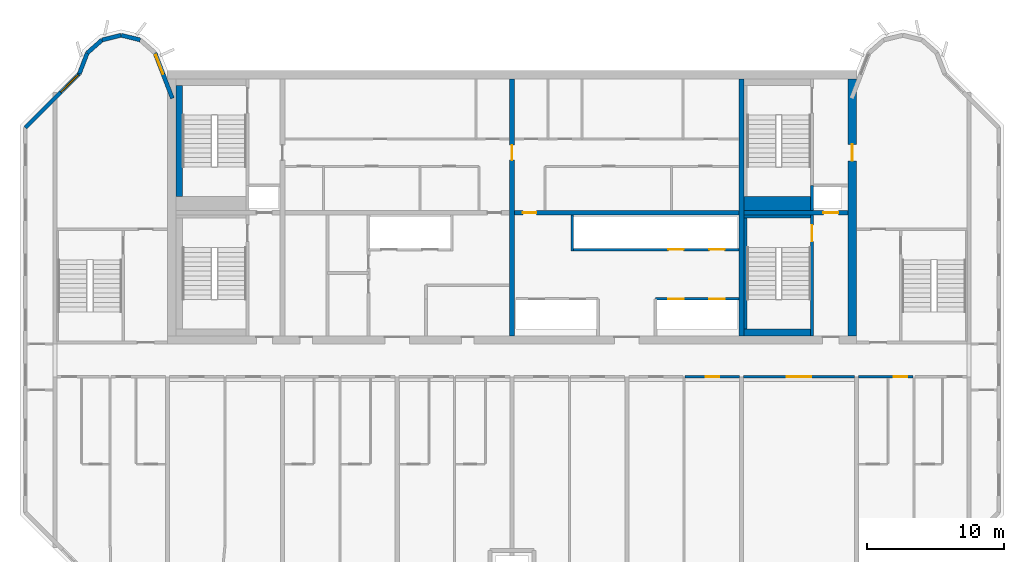
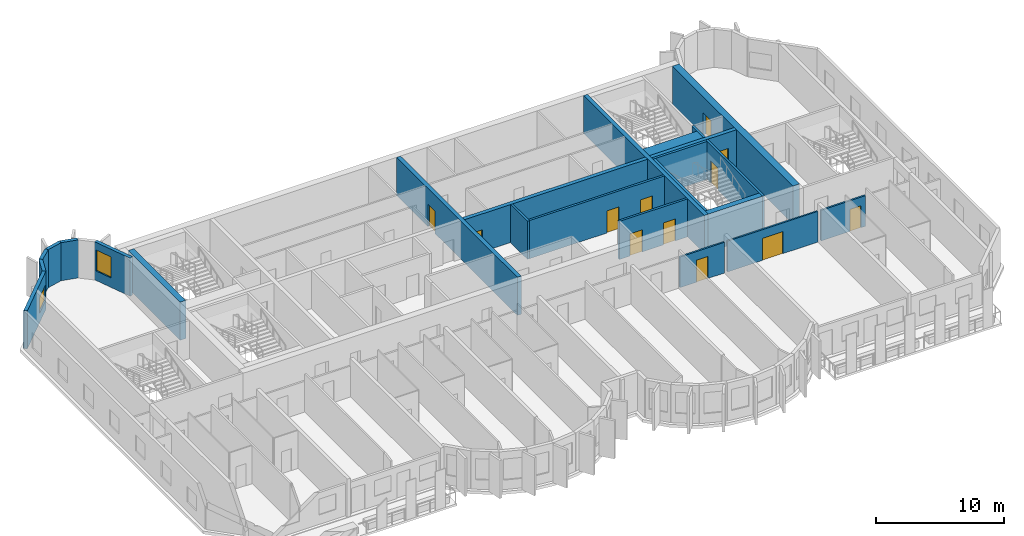
# One storey, part 6 of 11: 24 walls, 12 doors, 2 windows, 14 openings.
"""IFC4 building model written with IfcOpenShell, lengths in metres."""

from ifc_helpers import new_model, si_unit, direction, frame, frame_2d, origin, place, context, subcontext, project, spatial, rectangle, extrude, source, transform, mapped, material, layer, layer_set, type_object, element, fill, save


model = new_model("IFC4")

# Units and contexts
model_context = context("Model", 3, precision=1e-05, world=origin(), true_north=direction((0.0, 1.0)))
body_context = subcontext(model_context, "Body", "Model", "MODEL_VIEW")
ifc_project = project(units=[si_unit("LENGTHUNIT", "METRE"), si_unit("AREAUNIT", "SQUARE_METRE"), si_unit("VOLUMEUNIT", "CUBIC_METRE"), si_unit("PLANEANGLEUNIT", "RADIAN"), si_unit("MASSUNIT", "GRAM", prefix="KILO")], contexts=[model_context])

# Site, building, storey
site_placement = place(None, origin())
site = spatial("IfcSite", under=ifc_project, at=site_placement, CompositionType="ELEMENT")
building_placement = place(site_placement, origin())
building = spatial("IfcBuilding", under=site, at=building_placement, Name="Vanashikhar Sky Hotel", CompositionType="ELEMENT")
storey_placement = place(building_placement, frame((0.0, 0.0, 241.300048828125)))
storey = spatial("IfcBuildingStorey", under=building, at=storey_placement, Name="L58", CompositionType="ELEMENT", Elevation=241.300048828125)

# Wall, opening, door
ifc_material_1 = material(Name="Concrete M60", Category="concrete")
ifc_layer_1 = layer(ifc_material_1, 0.60009765625)
ifc_layer_set_1 = layer_set([ifc_layer_1], Name="RC core shell wall 600 Concrete M60")
wall_type_1 = type_object("IfcWallType", Name="RC core shell wall 600 Concrete M60", PredefinedType="SHEAR", material=ifc_layer_set_1)
shared_shape_1 = source(origin(), body_context, "Body", "SweptSolid", [
    extrude(rectangle(XDim=18.7998046875, YDim=0.60009765625, at=frame_2d((9.39990234375, 0.0))), origin(), (0.0, 0.0, 1.0), 3.619873046875),
])
wall_1_placement = place(storey_placement, frame((75.300048828125, 22.60009765625, 0.0), z_axis=(0.0, 0.0, 1.0), x_axis=(0.0, 1.0, 0.0)))
wall_1 = element("IfcWall", 1, at=wall_1_placement, inside=storey, type_object=wall_type_1, Name="KW-L58-KE", PredefinedType="SHEAR", context=body_context, shape_type="MappedRepresentation", body=[
    mapped(shared_shape_1, transform((0.0, 0.0, 0.0), scale=1.0)),
])
shared_shape_2 = source(origin(), body_context, "Body", "SweptSolid", [
    extrude(rectangle(XDim=1.199951171875, YDim=2.10009765625, at=frame_2d((0.60009765625, 1.050048828125))), frame((0.0, 0.31005859375, 0.0), z_axis=(0.0, -1.0, 0.0), x_axis=(1.0, 0.0, 0.0)), (0.0, 0.0, 1.0), 0.6201171875),
])
opening_1_placement = place(wall_1_placement, frame((12.800048828125, 0.0, 0.0)))
opening_1 = element("IfcOpeningElement", 2, at=opening_1_placement, cuts=wall_1, Name="Opening DC-4-D", PredefinedType="OPENING", context=body_context, shape_type="MappedRepresentation", body=[
    mapped(shared_shape_2, transform((0.0, 0.0, 0.0), scale=1.0)),
])
ifc_material_2 = material(Name="Steel", Category="steel")
door_type_1 = type_object("IfcDoorType", Name="Service door 1200 FD120", OperationType="NOTDEFINED", PredefinedType="DOOR", material=ifc_material_2)
shared_shape_3 = source(origin(), body_context, "Body", "SweptSolid", [
    extrude(rectangle(XDim=1.199951171875, YDim=2.10009765625, at=frame_2d((0.60009765625, 1.050048828125))), frame((0.0, 0.02490234375, 0.0), z_axis=(0.0, -1.0, 0.0), x_axis=(1.0, 0.0, 0.0)), (0.0, 0.0, 1.0), 0.050048828125),
])
door_1_placement = place(opening_1_placement, origin())
door_1 = element("IfcDoor", 3, at=door_1_placement, inside=storey, type_object=door_type_1, Name="Service door 1200 FD120", OperationType="SINGLE_SWING_LEFT", OverallHeight=2.10009765625, OverallWidth=1.199951171875, PredefinedType="DOOR", context=body_context, shape_type="MappedRepresentation", body=[
    mapped(shared_shape_3, transform((0.0, 0.0, 0.0), scale=1.0)),
])
fill(opening_1, door_1)

ifc_layer_2 = layer(ifc_material_1, 0.35009765625)
ifc_layer_set_2 = layer_set([ifc_layer_2], Name="RC core inner wall 350 Concrete M60")
wall_type_2 = type_object("IfcWallType", Name="RC core inner wall 350 Concrete M60", PredefinedType="SHEAR", material=ifc_layer_set_2)
shared_shape_4 = source(origin(), body_context, "Body", "SweptSolid", [
    extrude(rectangle(XDim=18.7998046875, YDim=0.35009765625, at=frame_2d((9.39990234375, 0.0))), origin(), (0.0, 0.0, 1.0), 3.619873046875),
])
wall_2_placement = place(storey_placement, frame((50.39990234375, 22.60009765625, 0.0), z_axis=(0.0, 0.0, 1.0), x_axis=(0.0, 1.0, 0.0)))
wall_2 = element("IfcWall", 4, at=wall_2_placement, inside=storey, type_object=wall_type_2, Name="KW-L58-KX2", PredefinedType="SHEAR", context=body_context, shape_type="MappedRepresentation", body=[
    mapped(shared_shape_4, transform((0.0, 0.0, 0.0), scale=1.0)),
])
shared_shape_5 = source(origin(), body_context, "Body", "SweptSolid", [
    extrude(rectangle(XDim=1.10009765625, YDim=2.10009765625, at=frame_2d((0.550048828125, 1.050048828125))), frame((0.0, 0.18505859375, 0.0), z_axis=(0.0, -1.0, 0.0), x_axis=(1.0, 0.0, 0.0)), (0.0, 0.0, 1.0), 0.3701171875),
])
opening_2_placement = place(wall_2_placement, frame((12.85009765625, 0.0, 0.0)))
opening_2 = element("IfcOpeningElement", 5, at=opening_2_placement, cuts=wall_2, Name="Opening DC-4-C", PredefinedType="OPENING", context=body_context, shape_type="MappedRepresentation", body=[
    mapped(shared_shape_5, transform((0.0, 0.0, 0.0), scale=1.0)),
])
door_type_2 = type_object("IfcDoorType", Name="Service door 1100 FD60", OperationType="NOTDEFINED", PredefinedType="DOOR", material=ifc_material_2)
shared_shape_6 = source(origin(), body_context, "Body", "SweptSolid", [
    extrude(rectangle(XDim=1.10009765625, YDim=2.10009765625, at=frame_2d((0.550048828125, 1.050048828125))), frame((0.0, 0.02490234375, 0.0), z_axis=(0.0, -1.0, 0.0), x_axis=(1.0, 0.0, 0.0)), (0.0, 0.0, 1.0), 0.050048828125),
])
door_2_placement = place(opening_2_placement, origin())
door_2 = element("IfcDoor", 6, at=door_2_placement, inside=storey, type_object=door_type_2, Name="Service door 1100 FD60", OperationType="SINGLE_SWING_RIGHT", OverallHeight=2.10009765625, OverallWidth=1.10009765625, PredefinedType="DOOR", context=body_context, shape_type="MappedRepresentation", body=[
    mapped(shared_shape_6, transform((0.0, 0.0, 0.0), scale=1.0)),
])
fill(opening_2, door_2)

# Wall
wall_3_placement = place(storey_placement, frame((67.199951171875, 22.60009765625, 0.0), z_axis=(0.0, 0.0, 1.0), x_axis=(0.0, 1.0, 0.0)))
element("IfcWall", 7, at=wall_3_placement, inside=storey, type_object=wall_type_2, Name="KW-L58-KX3", PredefinedType="SHEAR", context=body_context, shape_type="MappedRepresentation", body=[
    mapped(shared_shape_4, transform((0.0, 0.0, 0.0), scale=1.0)),
])

# Wall, opening, door
shared_shape_7 = source(origin(), body_context, "Body", "SweptSolid", [
    extrude(rectangle(XDim=7.625, YDim=0.35009765625, at=frame_2d((3.8125, 0.0))), origin(), (0.0, 0.0, 1.0), 3.619873046875),
])
wall_4_placement = place(storey_placement, frame((67.375, 31.60009765625, 0.0), z_axis=(0.0, 0.0, 1.0), x_axis=(1.0, 0.0, 0.0)))
wall_4 = element("IfcWall", 8, at=wall_4_placement, inside=storey, type_object=wall_type_2, Name="KW-L58-KY4", PredefinedType="SHEAR", context=body_context, shape_type="MappedRepresentation", body=[
    mapped(shared_shape_7, transform((0.0, 0.0, 0.0), scale=1.0)),
])
opening_3_placement = place(wall_4_placement, frame((5.800048828125, 0.0, 0.0)))
opening_3 = element("IfcOpeningElement", 9, at=opening_3_placement, cuts=wall_4, Name="Opening LD", PredefinedType="OPENING", context=body_context, shape_type="MappedRepresentation", body=[
    mapped(shared_shape_5, transform((0.0, 0.0, 0.0), scale=1.0)),
])
ifc_material_3 = material(Name="Stainless steel", Category="steel")
door_type_3 = type_object("IfcDoorType", Name="Lift landing door 1100", OperationType="NOTDEFINED", PredefinedType="DOOR", material=ifc_material_3)
door_3_placement = place(opening_3_placement, origin())
door_3 = element("IfcDoor", 10, at=door_3_placement, inside=storey, type_object=door_type_3, Name="Lift landing door 1100", OperationType="SLIDING_TO_RIGHT", OverallHeight=2.10009765625, OverallWidth=1.10009765625, PredefinedType="DOOR", context=body_context, shape_type="MappedRepresentation", body=[
    mapped(shared_shape_6, transform((0.0, 0.0, 0.0), scale=1.0)),
])
fill(opening_3, door_3)

shared_shape_8 = source(origin(), body_context, "Body", "SweptSolid", [
    extrude(rectangle(XDim=16.449951171875, YDim=0.35009765625, at=frame_2d((8.22509765625, 0.0))), origin(), (0.0, 0.0, 1.0), 3.619873046875),
])
wall_5_placement = place(storey_placement, frame((50.574951171875, 31.60009765625, 0.0), z_axis=(0.0, 0.0, 1.0), x_axis=(1.0, 0.0, 0.0)))
wall_5 = element("IfcWall", 11, at=wall_5_placement, inside=storey, type_object=wall_type_2, Name="KW-L58-KY3", PredefinedType="SHEAR", context=body_context, shape_type="MappedRepresentation", body=[
    mapped(shared_shape_8, transform((0.0, 0.0, 0.0), scale=1.0)),
])
shared_shape_9 = source(origin(), body_context, "Body", "SweptSolid", [
    extrude(rectangle(XDim=1.0, YDim=2.10009765625, at=frame_2d((0.5, 1.050048828125))), frame((0.0, 0.18505859375, 0.0), z_axis=(0.0, -1.0, 0.0), x_axis=(1.0, 0.0, 0.0)), (0.0, 0.0, 1.0), 0.3701171875),
])
opening_4_placement = place(wall_5_placement, frame((0.613037109375, 0.0, 0.0)))
opening_4 = element("IfcOpeningElement", 12, at=opening_4_placement, cuts=wall_5, Name="Opening DC-4", PredefinedType="OPENING", context=body_context, shape_type="MappedRepresentation", body=[
    mapped(shared_shape_9, transform((0.0, 0.0, 0.0), scale=1.0)),
])
door_type_4 = type_object("IfcDoorType", Name="Service door 1000 FD60", OperationType="NOTDEFINED", PredefinedType="DOOR", material=ifc_material_2)
shared_shape_10 = source(origin(), body_context, "Body", "SweptSolid", [
    extrude(rectangle(XDim=1.0, YDim=2.10009765625, at=frame_2d((0.5, 1.050048828125))), frame((0.0, 0.02490234375, 0.0), z_axis=(0.0, -1.0, 0.0), x_axis=(1.0, 0.0, 0.0)), (0.0, 0.0, 1.0), 0.050048828125),
])
door_4_placement = place(opening_4_placement, origin())
door_4 = element("IfcDoor", 13, at=door_4_placement, inside=storey, type_object=door_type_4, Name="Service door 1000 FD60", OperationType="SINGLE_SWING_RIGHT", OverallHeight=2.10009765625, OverallWidth=1.0, PredefinedType="DOOR", context=body_context, shape_type="MappedRepresentation", body=[
    mapped(shared_shape_10, transform((0.0, 0.0, 0.0), scale=1.0)),
])
fill(opening_4, door_4)

# Wall, opening, window
ifc_material_4 = material(Name="Concrete M50", Category="concrete")
ifc_layer_3 = layer(ifc_material_4, 0.300048828125)
ifc_layer_set_3 = layer_set([ifc_layer_3], Name="Lobe wall 300")
wall_type_3 = type_object("IfcWallType", Name="Lobe wall 300", PredefinedType="SOLIDWALL", material=ifc_layer_set_3)
shared_shape_11 = source(origin(), body_context, "Body", "SweptSolid", [
    extrude(rectangle(XDim=5.576416015625, YDim=0.300048828125, at=frame_2d((2.7880859375, 0.0))), origin(), (0.0, 0.0, 1.0), 3.619873046875),
])
wall_6_placement = place(storey_placement, frame((18.7431640625, 41.77734375, 0.0), z_axis=(0.0, 0.0, 1.0), x_axis=(-0.707106781187, -0.707106781187, 0.0)))
wall_6 = element("IfcWall", 14, at=wall_6_placement, inside=storey, type_object=wall_type_3, Name="Corner wall", PredefinedType="SOLIDWALL", context=body_context, shape_type="MappedRepresentation", body=[
    mapped(shared_shape_11, transform((0.0, 0.0, 0.0), scale=1.0)),
])
shared_shape_12 = source(origin(), body_context, "Body", "SweptSolid", [
    extrude(rectangle(XDim=1.800048828125, YDim=1.5, at=frame_2d((0.89990234375, 0.75))), frame((0.0, 0.16015625, 0.0), z_axis=(0.0, -1.0, 0.0), x_axis=(1.0, 0.0, 0.0)), (0.0, 0.0, 1.0), 0.320068359375),
])
opening_5_placement = place(wall_6_placement, frame((0.117919921875, 0.0, 0.89990234375)))
opening_5 = element("IfcOpeningElement", 15, at=opening_5_placement, cuts=wall_6, Name="Opening WN-4", PredefinedType="OPENING", context=body_context, shape_type="MappedRepresentation", body=[
    mapped(shared_shape_12, transform((0.0, 0.0, 0.0), scale=1.0)),
])
ifc_material_5 = material(Name="Glass", Category="glass")
window_type_1 = type_object("IfcWindowType", Name="Corner window 1800 x 1500", PartitioningType="SINGLE_PANEL", PredefinedType="WINDOW", material=ifc_material_5)
shared_shape_13 = source(origin(), body_context, "Body", "SweptSolid", [
    extrude(rectangle(XDim=1.800048828125, YDim=1.5, at=frame_2d((0.89990234375, 0.75))), frame((0.0, 0.030029296875, 0.0), z_axis=(0.0, -1.0, 0.0), x_axis=(1.0, 0.0, 0.0)), (0.0, 0.0, 1.0), 0.06005859375),
])
window_1_placement = place(opening_5_placement, origin())
window_1 = element("IfcWindow", 16, at=window_1_placement, inside=storey, type_object=window_type_1, Name="Window WN-4", OverallHeight=1.5, OverallWidth=1.800048828125, PartitioningType="SINGLE_PANEL", PredefinedType="WINDOW", context=body_context, shape_type="MappedRepresentation", body=[
    mapped(shared_shape_13, transform((0.0, 0.0, 0.0), scale=1.0)),
])
fill(opening_5, window_1)

shared_shape_14 = source(origin(), body_context, "Body", "SweptSolid", [
    extrude(rectangle(XDim=3.55908203125, YDim=0.300048828125, at=frame_2d((1.779541015625, 0.0))), origin(), (0.0, 0.0, 1.0), 3.619873046875),
])
wall_7_placement = place(storey_placement, frame((25.550048828125, 39.968505859375, 0.0), z_axis=(0.0, 0.0, 1.0), x_axis=(-0.35779745313, 0.933799219604, 0.0)))
wall_7 = element("IfcWall", 17, at=wall_7_placement, inside=storey, type_object=wall_type_3, Name="Lobe wall", PredefinedType="SOLIDWALL", context=body_context, shape_type="MappedRepresentation", body=[
    mapped(shared_shape_14, transform((0.0, 0.0, 0.0), scale=1.0)),
])
shared_shape_15 = source(origin(), body_context, "Body", "SweptSolid", [
    extrude(rectangle(XDim=1.5, YDim=2.0, at=frame_2d((0.75, 1.0))), frame((0.0, 0.16015625, 0.0), z_axis=(0.0, -1.0, 0.0), x_axis=(1.0, 0.0, 0.0)), (0.0, 0.0, 1.0), 0.320068359375),
])
opening_6_placement = place(wall_7_placement, frame((1.9033203125, 0.0, 0.89990234375)))
opening_6 = element("IfcOpeningElement", 18, at=opening_6_placement, cuts=wall_7, Name="Opening WN-2", PredefinedType="OPENING", context=body_context, shape_type="MappedRepresentation", body=[
    mapped(shared_shape_15, transform((0.0, 0.0, 0.0), scale=1.0)),
])
window_type_2 = type_object("IfcWindowType", Name="Lobe window 1500 x 2000", PartitioningType="SINGLE_PANEL", PredefinedType="WINDOW", material=ifc_material_5)
shared_shape_16 = source(origin(), body_context, "Body", "SweptSolid", [
    extrude(rectangle(XDim=1.5, YDim=2.0, at=frame_2d((0.75, 1.0))), frame((0.0, 0.030029296875, 0.0), z_axis=(0.0, -1.0, 0.0), x_axis=(1.0, 0.0, 0.0)), (0.0, 0.0, 1.0), 0.06005859375),
])
window_2_placement = place(opening_6_placement, origin())
window_2 = element("IfcWindow", 19, at=window_2_placement, inside=storey, type_object=window_type_2, Name="Window WN-2", OverallHeight=2.0, OverallWidth=1.5, PartitioningType="SINGLE_PANEL", PredefinedType="WINDOW", context=body_context, shape_type="MappedRepresentation", body=[
    mapped(shared_shape_16, transform((0.0, 0.0, 0.0), scale=1.0)),
])
fill(opening_6, window_2)

# Walls
shared_shape_17 = source(origin(), body_context, "Body", "SweptSolid", [
    extrude(rectangle(XDim=1.4384765625, YDim=0.300048828125, at=frame_2d((0.71923828125, 0.0))), origin(), (0.0, 0.0, 1.0), 3.619873046875),
])
wall_8_placement = place(storey_placement, frame((23.197021484375, 44.2451171875, 0.0), z_axis=(0.0, 0.0, 1.0), x_axis=(-0.971152283879, 0.238460146601, 0.0)))
element("IfcWall", 20, at=wall_8_placement, inside=storey, type_object=wall_type_3, Name="Lobe wall", PredefinedType="SOLIDWALL", context=body_context, shape_type="MappedRepresentation", body=[
    mapped(shared_shape_17, transform((0.0, 0.0, 0.0), scale=1.0)),
])
shared_shape_18 = source(origin(), body_context, "Body", "SweptSolid", [
    extrude(rectangle(XDim=1.438720703125, YDim=0.300048828125, at=frame_2d((0.71923828125, 0.0))), origin(), (0.0, 0.0, 1.0), 3.619873046875),
])
wall_9_placement = place(storey_placement, frame((21.800048828125, 44.588134765625, 0.0), z_axis=(0.0, 0.0, 1.0), x_axis=(-0.971161932466, -0.238420848351, 0.0)))
element("IfcWall", 21, at=wall_9_placement, inside=storey, type_object=wall_type_3, Name="Lobe wall", PredefinedType="SOLIDWALL", context=body_context, shape_type="MappedRepresentation", body=[
    mapped(shared_shape_18, transform((0.0, 0.0, 0.0), scale=1.0)),
])
shared_shape_19 = source(origin(), body_context, "Body", "SweptSolid", [
    extrude(rectangle(XDim=1.43994140625, YDim=0.300048828125, at=frame_2d((0.719970703125, 0.0))), origin(), (0.0, 0.0, 1.0), 3.619873046875),
])
wall_10_placement = place(storey_placement, frame((20.40283203125, 44.2451171875, 0.0), z_axis=(0.0, 0.0, 1.0), x_axis=(-0.74957555648, -0.661918790432, 0.0)))
element("IfcWall", 22, at=wall_10_placement, inside=storey, type_object=wall_type_3, Name="Lobe wall", PredefinedType="SOLIDWALL", context=body_context, shape_type="MappedRepresentation", body=[
    mapped(shared_shape_19, transform((0.0, 0.0, 0.0), scale=1.0)),
])
shared_shape_20 = source(origin(), body_context, "Body", "SweptSolid", [
    extrude(rectangle(XDim=1.6220703125, YDim=0.300048828125, at=frame_2d((0.81103515625, 0.0))), origin(), (0.0, 0.0, 1.0), 3.619873046875),
])
wall_11_placement = place(storey_placement, frame((19.323486328125, 43.2919921875, 0.0), z_axis=(0.0, 0.0, 1.0), x_axis=(-0.357778527068, -0.933806471154, 0.0)))
element("IfcWall", 23, at=wall_11_placement, inside=storey, type_object=wall_type_3, Name="Lobe wall", PredefinedType="SOLIDWALL", context=body_context, shape_type="MappedRepresentation", body=[
    mapped(shared_shape_20, transform((0.0, 0.0, 0.0), scale=1.0)),
])
ifc_material_6 = material(Name="Concrete M40", Category="concrete")
ifc_layer_4 = layer(ifc_material_6, 0.199951171875)
ifc_layer_set_4 = layer_set([ifc_layer_4], Name="Shaft wall 200")
wall_type_4 = type_object("IfcWallType", Name="Shaft wall 200", PredefinedType="SOLIDWALL", material=ifc_layer_set_4)
shared_shape_21 = source(origin(), body_context, "Body", "SweptSolid", [
    extrude(rectangle(XDim=2.625, YDim=0.199951171875, at=frame_2d((1.3125, 0.0))), origin(), (0.0, 0.0, 1.0), 3.619873046875),
])
wall_12_placement = place(storey_placement, frame((54.800048828125, 28.800048828125, 0.0), z_axis=(0.0, 0.0, 1.0), x_axis=(0.0, 1.0, 0.0)))
element("IfcWall", 24, at=wall_12_placement, inside=storey, type_object=wall_type_4, Name="Shaft wall 200", PredefinedType="SOLIDWALL", context=body_context, shape_type="MappedRepresentation", body=[
    mapped(shared_shape_21, transform((0.0, 0.0, 0.0), scale=1.0)),
])

# Wall, openings, doors
shared_shape_22 = source(origin(), body_context, "Body", "SweptSolid", [
    extrude(rectangle(XDim=6.125, YDim=0.199951171875, at=frame_2d((3.0625, 0.0))), origin(), (0.0, 0.0, 1.0), 3.619873046875),
])
wall_13_placement = place(storey_placement, frame((67.02490234375, 25.300048828125, 0.0), z_axis=(0.0, 0.0, 1.0), x_axis=(-1.0, 0.0, 0.0)))
wall_13 = element("IfcWall", 25, at=wall_13_placement, inside=storey, type_object=wall_type_4, Name="Shaft wall 200", PredefinedType="SOLIDWALL", context=body_context, shape_type="MappedRepresentation", body=[
    mapped(shared_shape_22, transform((0.0, 0.0, 0.0), scale=1.0)),
])
shared_shape_23 = source(origin(), body_context, "Body", "SweptSolid", [
    extrude(rectangle(XDim=1.10009765625, YDim=2.10009765625, at=frame_2d((0.550048828125, 1.050048828125))), frame((0.0, 0.10986328125, 0.0), z_axis=(0.0, -1.0, 0.0), x_axis=(1.0, 0.0, 0.0)), (0.0, 0.0, 1.0), 0.219970703125),
])
opening_7_placement = place(wall_13_placement, frame((1.074951171875, 0.0, 0.0)))
opening_7 = element("IfcOpeningElement", 26, at=opening_7_placement, cuts=wall_13, Name="Opening LD", PredefinedType="OPENING", context=body_context, shape_type="MappedRepresentation", body=[
    mapped(shared_shape_23, transform((0.0, 0.0, 0.0), scale=1.0)),
])
opening_8_placement = place(wall_13_placement, frame((4.074951171875, 0.0, 0.0)))
opening_8 = element("IfcOpeningElement", 27, at=opening_8_placement, cuts=wall_13, Name="Opening LD", PredefinedType="OPENING", context=body_context, shape_type="MappedRepresentation", body=[
    mapped(shared_shape_23, transform((0.0, 0.0, 0.0), scale=1.0)),
])
door_5_placement = place(opening_7_placement, origin())
door_5 = element("IfcDoor", 28, at=door_5_placement, inside=storey, type_object=door_type_3, Name="Lift landing door 1100", OperationType="SLIDING_TO_RIGHT", OverallHeight=2.10009765625, OverallWidth=1.10009765625, PredefinedType="DOOR", context=body_context, shape_type="MappedRepresentation", body=[
    mapped(shared_shape_6, transform((0.0, 0.0, 0.0), scale=1.0)),
])
fill(opening_7, door_5)
door_6_placement = place(opening_8_placement, origin())
door_6 = element("IfcDoor", 29, at=door_6_placement, inside=storey, type_object=door_type_3, Name="Lift landing door 1100", OperationType="SLIDING_TO_LEFT", OverallHeight=2.10009765625, OverallWidth=1.10009765625, PredefinedType="DOOR", context=body_context, shape_type="MappedRepresentation", body=[
    mapped(shared_shape_6, transform((0.0, 0.0, 0.0), scale=1.0)),
])
fill(opening_8, door_6)

shared_shape_24 = source(origin(), body_context, "Body", "SweptSolid", [
    extrude(rectangle(XDim=12.125, YDim=0.199951171875, at=frame_2d((6.0625, 0.0))), origin(), (0.0, 0.0, 1.0), 3.619873046875),
])
wall_14_placement = place(storey_placement, frame((67.02490234375, 28.89990234375, 0.0), z_axis=(0.0, 0.0, 1.0), x_axis=(-1.0, 0.0, 0.0)))
wall_14 = element("IfcWall", 30, at=wall_14_placement, inside=storey, type_object=wall_type_4, Name="Shaft wall 200", PredefinedType="SOLIDWALL", context=body_context, shape_type="MappedRepresentation", body=[
    mapped(shared_shape_24, transform((0.0, 0.0, 0.0), scale=1.0)),
])
opening_9_placement = place(wall_14_placement, frame((1.074951171875, 0.0, 0.0)))
opening_9 = element("IfcOpeningElement", 31, at=opening_9_placement, cuts=wall_14, Name="Opening LD", PredefinedType="OPENING", context=body_context, shape_type="MappedRepresentation", body=[
    mapped(shared_shape_23, transform((0.0, 0.0, 0.0), scale=1.0)),
])
opening_10_placement = place(wall_14_placement, frame((4.074951171875, 0.0, 0.0)))
opening_10 = element("IfcOpeningElement", 32, at=opening_10_placement, cuts=wall_14, Name="Opening LD", PredefinedType="OPENING", context=body_context, shape_type="MappedRepresentation", body=[
    mapped(shared_shape_23, transform((0.0, 0.0, 0.0), scale=1.0)),
])
door_7_placement = place(opening_9_placement, origin())
door_7 = element("IfcDoor", 33, at=door_7_placement, inside=storey, type_object=door_type_3, Name="Lift landing door 1100", OperationType="SLIDING_TO_RIGHT", OverallHeight=2.10009765625, OverallWidth=1.10009765625, PredefinedType="DOOR", context=body_context, shape_type="MappedRepresentation", body=[
    mapped(shared_shape_6, transform((0.0, 0.0, 0.0), scale=1.0)),
])
fill(opening_9, door_7)
door_8_placement = place(opening_10_placement, origin())
door_8 = element("IfcDoor", 34, at=door_8_placement, inside=storey, type_object=door_type_3, Name="Lift landing door 1100", OperationType="SLIDING_TO_LEFT", OverallHeight=2.10009765625, OverallWidth=1.10009765625, PredefinedType="DOOR", context=body_context, shape_type="MappedRepresentation", body=[
    mapped(shared_shape_6, transform((0.0, 0.0, 0.0), scale=1.0)),
])
fill(opening_10, door_8)

# Wall, opening, door
ifc_layer_5 = layer(ifc_material_4, 0.199951171875)
ifc_layer_set_5 = layer_set([ifc_layer_5], Name="Stair wall 200")
wall_type_5 = type_object("IfcWallType", Name="Stair wall 200", PredefinedType="SOLIDWALL", material=ifc_layer_set_5)
shared_shape_25 = source(origin(), body_context, "Body", "SweptSolid", [
    extrude(rectangle(XDim=8.824951171875, YDim=0.199951171875, at=frame_2d((4.41259765625, 0.0))), origin(), (0.0, 0.0, 1.0), 3.619873046875),
])
wall_15_placement = place(storey_placement, frame((72.35009765625, 22.60009765625, 0.0), z_axis=(0.0, 0.0, 1.0), x_axis=(0.0, 1.0, 0.0)))
wall_15 = element("IfcWall", 35, at=wall_15_placement, inside=storey, type_object=wall_type_5, Name="Stair wall 200", PredefinedType="SOLIDWALL", context=body_context, shape_type="MappedRepresentation", body=[
    mapped(shared_shape_25, transform((0.0, 0.0, 0.0), scale=1.0)),
])
shared_shape_26 = source(origin(), body_context, "Body", "SweptSolid", [
    extrude(rectangle(XDim=1.199951171875, YDim=2.10009765625, at=frame_2d((0.60009765625, 1.050048828125))), frame((0.0, 0.10986328125, 0.0), z_axis=(0.0, -1.0, 0.0), x_axis=(1.0, 0.0, 0.0)), (0.0, 0.0, 1.0), 0.219970703125),
])
opening_11_placement = place(wall_15_placement, frame((6.89990234375, 0.0, 0.0)))
opening_11 = element("IfcOpeningElement", 36, at=opening_11_placement, cuts=wall_15, Name="Opening DC-1", PredefinedType="OPENING", context=body_context, shape_type="MappedRepresentation", body=[
    mapped(shared_shape_26, transform((0.0, 0.0, 0.0), scale=1.0)),
])
door_type_5 = type_object("IfcDoorType", Name="Stair door 1200 FD120", OperationType="NOTDEFINED", PredefinedType="DOOR", material=ifc_material_2)
door_9_placement = place(opening_11_placement, origin())
door_9 = element("IfcDoor", 37, at=door_9_placement, inside=storey, type_object=door_type_5, Name="Stair door 1200 FD120", OperationType="SINGLE_SWING_LEFT", OverallHeight=2.10009765625, OverallWidth=1.199951171875, PredefinedType="DOOR", context=body_context, shape_type="MappedRepresentation", body=[
    mapped(shared_shape_3, transform((0.0, 0.0, 0.0), scale=1.0)),
])
fill(opening_11, door_9)

# Walls
shared_shape_27 = source(origin(), body_context, "Body", "SweptSolid", [
    extrude(rectangle(XDim=1.8251953125, YDim=0.199951171875, at=frame_2d((0.91259765625, 0.0))), origin(), (0.0, 0.0, 1.0), 3.619873046875),
])
wall_16_placement = place(storey_placement, frame((72.35009765625, 31.77490234375, 0.0), z_axis=(0.0, 0.0, 1.0), x_axis=(0.0, 1.0, 0.0)))
element("IfcWall", 38, at=wall_16_placement, inside=storey, type_object=wall_type_4, Name="Shaft wall 200", PredefinedType="SOLIDWALL", context=body_context, shape_type="MappedRepresentation", body=[
    mapped(shared_shape_27, transform((0.0, 0.0, 0.0), scale=1.0)),
])
ifc_layer_6 = layer(ifc_material_4, 0.5)
ifc_layer_set_6 = layer_set([ifc_layer_6], Name="Stair infill wall 500")
wall_type_6 = type_object("IfcWallType", Name="Stair infill wall 500", PredefinedType="SOLIDWALL", material=ifc_layer_set_6)
shared_shape_28 = source(origin(), body_context, "Body", "SweptSolid", [
    extrude(rectangle(XDim=8.099853515625, YDim=0.5, at=frame_2d((4.0498046875, 0.0))), origin(), (0.0, 0.0, 1.0), 3.619873046875),
])
wall_17_placement = place(storey_placement, frame((26.050048828125, 32.800048828125, 0.0), z_axis=(0.0, 0.0, 1.0), x_axis=(0.0, 1.0, 0.0)))
element("IfcWall", 39, at=wall_17_placement, inside=storey, type_object=wall_type_6, Name="Stair infill wall 500", PredefinedType="SOLIDWALL", context=body_context, shape_type="MappedRepresentation", body=[
    mapped(shared_shape_28, transform((0.0, 0.0, 0.0), scale=1.0)),
])
shared_shape_29 = source(origin(), body_context, "Body", "SweptSolid", [
    extrude(rectangle(XDim=4.875, YDim=0.5, at=frame_2d((2.4375, 0.0))), origin(), (0.0, 0.0, 1.0), 3.619873046875),
])
wall_18_placement = place(storey_placement, frame((67.375, 22.85009765625, 0.0), z_axis=(0.0, 0.0, 1.0), x_axis=(1.0, 0.0, 0.0)))
element("IfcWall", 40, at=wall_18_placement, inside=storey, type_object=wall_type_6, Name="Stair infill wall 500", PredefinedType="SOLIDWALL", context=body_context, shape_type="MappedRepresentation", body=[
    mapped(shared_shape_29, transform((0.0, 0.0, 0.0), scale=1.0)),
])
ifc_layer_7 = layer(ifc_material_4, 0.22509765625)
ifc_layer_set_7 = layer_set([ifc_layer_7], Name="Stair infill wall 225")
wall_type_7 = type_object("IfcWallType", Name="Stair infill wall 225", PredefinedType="SOLIDWALL", material=ifc_layer_set_7)
shared_shape_30 = source(origin(), body_context, "Body", "SweptSolid", [
    extrude(rectangle(XDim=4.875, YDim=0.22509765625, at=frame_2d((2.4375, 0.0))), origin(), (0.0, 0.0, 1.0), 3.619873046875),
])
wall_19_placement = place(storey_placement, frame((67.375, 31.31201171875, 0.0), z_axis=(0.0, 0.0, 1.0), x_axis=(1.0, 0.0, 0.0)))
element("IfcWall", 41, at=wall_19_placement, inside=storey, type_object=wall_type_7, Name="Stair infill wall 225", PredefinedType="SOLIDWALL", context=body_context, shape_type="MappedRepresentation", body=[
    mapped(shared_shape_30, transform((0.0, 0.0, 0.0), scale=1.0)),
])
shared_shape_31 = source(origin(), body_context, "Body", "SweptSolid", [
    extrude(rectangle(XDim=8.099853515625, YDim=0.22509765625, at=frame_2d((4.0498046875, 0.0))), origin(), (0.0, 0.0, 1.0), 3.619873046875),
])
wall_20_placement = place(storey_placement, frame((67.487060546875, 23.10009765625, 0.0), z_axis=(0.0, 0.0, 1.0), x_axis=(0.0, 1.0, 0.0)))
element("IfcWall", 42, at=wall_20_placement, inside=storey, type_object=wall_type_7, Name="Stair infill wall 225", PredefinedType="SOLIDWALL", context=body_context, shape_type="MappedRepresentation", body=[
    mapped(shared_shape_31, transform((0.0, 0.0, 0.0), scale=1.0)),
])
ifc_layer_8 = layer(ifc_material_4, 1.02490234375)
ifc_layer_set_8 = layer_set([ifc_layer_8], Name="Stair infill wall 1025")
wall_type_8 = type_object("IfcWallType", Name="Stair infill wall 1025", PredefinedType="SOLIDWALL", material=ifc_layer_set_8)
shared_shape_32 = source(origin(), body_context, "Body", "SweptSolid", [
    extrude(rectangle(XDim=4.875, YDim=1.02490234375, at=frame_2d((2.4375, 0.0))), origin(), (0.0, 0.0, 1.0), 3.619873046875),
])
wall_21_placement = place(storey_placement, frame((67.375, 32.287109375, 0.0), z_axis=(0.0, 0.0, 1.0), x_axis=(1.0, 0.0, 0.0)))
element("IfcWall", 43, at=wall_21_placement, inside=storey, type_object=wall_type_8, Name="Stair infill wall 1025", PredefinedType="SOLIDWALL", context=body_context, shape_type="MappedRepresentation", body=[
    mapped(shared_shape_32, transform((0.0, 0.0, 0.0), scale=1.0)),
])

# Wall, opening, door
ifc_material_7 = material(Name="Gypsum plasterboard partition")
ifc_layer_9 = layer(ifc_material_7, 0.14990234375)
ifc_layer_set_9 = layer_set([ifc_layer_9], Name="Corridor and demising partition 150")
wall_type_9 = type_object("IfcWallType", Name="Corridor and demising partition 150", PredefinedType="PARTITIONING", material=ifc_layer_set_9)
shared_shape_33 = source(origin(), body_context, "Body", "SweptSolid", [
    extrude(rectangle(XDim=3.97509765625, YDim=0.14990234375, at=frame_2d((1.987548828125, 0.0))), origin(), (0.0, 0.0, 1.0), 2.919921875),
])
wall_22_placement = place(storey_placement, frame((63.074951171875, 19.60009765625, 0.0), z_axis=(0.0, 0.0, 1.0), x_axis=(1.0, 0.0, 0.0)))
wall_22 = element("IfcWall", 44, at=wall_22_placement, inside=storey, type_object=wall_type_9, Name="W-L58-PW029", PredefinedType="PARTITIONING", context=body_context, shape_type="MappedRepresentation", body=[
    mapped(shared_shape_33, transform((0.0, 0.0, 0.0), scale=1.0)),
])
shared_shape_34 = source(origin(), body_context, "Body", "SweptSolid", [
    extrude(rectangle(XDim=1.0, YDim=2.10009765625, at=frame_2d((0.5, 1.050048828125))), frame((0.0, 0.0849609375, 0.0), z_axis=(0.0, -1.0, 0.0), x_axis=(1.0, 0.0, 0.0)), (0.0, 0.0, 1.0), 0.169921875),
])
opening_12_placement = place(wall_22_placement, frame((1.487060546875, 0.0, 0.0)))
opening_12 = element("IfcOpeningElement", 45, at=opening_12_placement, cuts=wall_22, Name="Opening D-01", PredefinedType="OPENING", context=body_context, shape_type="MappedRepresentation", body=[
    mapped(shared_shape_34, transform((0.0, 0.0, 0.0), scale=1.0)),
])
ifc_material_8 = material(Name="Timber fire door", Category="wood")
door_type_6 = type_object("IfcDoorType", Name="Guest entry door 1000 FD30S", OperationType="NOTDEFINED", PredefinedType="DOOR", material=ifc_material_8)
door_10_placement = place(opening_12_placement, origin())
door_10 = element("IfcDoor", 46, at=door_10_placement, inside=storey, type_object=door_type_6, Name="D-L58-018", OperationType="SINGLE_SWING_RIGHT", OverallHeight=2.10009765625, OverallWidth=1.0, PredefinedType="DOOR", context=body_context, shape_type="MappedRepresentation", body=[
    mapped(shared_shape_10, transform((0.0, 0.0, 0.0), scale=1.0)),
])
fill(opening_12, door_10)

wall_23_placement = place(storey_placement, frame((75.75, 19.60009765625, 0.0), z_axis=(0.0, 0.0, 1.0), x_axis=(1.0, 0.0, 0.0)))
wall_23 = element("IfcWall", 47, at=wall_23_placement, inside=storey, type_object=wall_type_9, Name="W-L58-PW034", PredefinedType="PARTITIONING", context=body_context, shape_type="MappedRepresentation", body=[
    mapped(shared_shape_33, transform((0.0, 0.0, 0.0), scale=1.0)),
])
opening_13_placement = place(wall_23_placement, frame((2.574951171875, 0.0, 0.0)))
opening_13 = element("IfcOpeningElement", 48, at=opening_13_placement, cuts=wall_23, Name="Opening D-01", PredefinedType="OPENING", context=body_context, shape_type="MappedRepresentation", body=[
    mapped(shared_shape_34, transform((0.0, 0.0, 0.0), scale=1.0)),
])
door_11_placement = place(opening_13_placement, origin())
door_11 = element("IfcDoor", 49, at=door_11_placement, inside=storey, type_object=door_type_6, Name="D-L58-021", OperationType="SINGLE_SWING_RIGHT", OverallHeight=2.10009765625, OverallWidth=1.0, PredefinedType="DOOR", context=body_context, shape_type="MappedRepresentation", body=[
    mapped(shared_shape_10, transform((0.0, 0.0, 0.0), scale=1.0)),
])
fill(opening_13, door_11)

shared_shape_35 = source(origin(), body_context, "Body", "SweptSolid", [
    extrude(rectangle(XDim=8.099853515625, YDim=0.14990234375, at=frame_2d((4.0498046875, 0.0))), origin(), (0.0, 0.0, 1.0), 2.919921875),
])
wall_24_placement = place(storey_placement, frame((67.35009765625, 19.60009765625, 0.0), z_axis=(0.0, 0.0, 1.0), x_axis=(1.0, 0.0, 0.0)))
wall_24 = element("IfcWall", 50, at=wall_24_placement, inside=storey, type_object=wall_type_9, Name="W-L58-PW031", PredefinedType="PARTITIONING", context=body_context, shape_type="MappedRepresentation", body=[
    mapped(shared_shape_35, transform((0.0, 0.0, 0.0), scale=1.0)),
])
shared_shape_36 = source(origin(), body_context, "Body", "SweptSolid", [
    extrude(rectangle(XDim=1.800048828125, YDim=2.10009765625, at=frame_2d((0.89990234375, 1.050048828125))), frame((0.0, 0.0849609375, 0.0), z_axis=(0.0, -1.0, 0.0), x_axis=(1.0, 0.0, 0.0)), (0.0, 0.0, 1.0), 0.169921875),
])
opening_14_placement = place(wall_24_placement, frame((3.14990234375, 0.0, 0.0)))
opening_14 = element("IfcOpeningElement", 51, at=opening_14_placement, cuts=wall_24, Name="Opening D-03", PredefinedType="OPENING", context=body_context, shape_type="MappedRepresentation", body=[
    mapped(shared_shape_36, transform((0.0, 0.0, 0.0), scale=1.0)),
])
door_type_7 = type_object("IfcDoorType", Name="Double leaf door 1800 FD30S", OperationType="NOTDEFINED", PredefinedType="DOOR", material=ifc_material_8)
shared_shape_37 = source(origin(), body_context, "Body", "SweptSolid", [
    extrude(rectangle(XDim=1.800048828125, YDim=2.10009765625, at=frame_2d((0.89990234375, 1.050048828125))), frame((0.0, 0.02490234375, 0.0), z_axis=(0.0, -1.0, 0.0), x_axis=(1.0, 0.0, 0.0)), (0.0, 0.0, 1.0), 0.050048828125),
])
door_12_placement = place(opening_14_placement, origin())
door_12 = element("IfcDoor", 52, at=door_12_placement, inside=storey, type_object=door_type_7, Name="D-L58-019", OperationType="DOUBLE_DOOR_SINGLE_SWING", OverallHeight=2.10009765625, OverallWidth=1.800048828125, PredefinedType="DOOR", context=body_context, shape_type="MappedRepresentation", body=[
    mapped(shared_shape_37, transform((0.0, 0.0, 0.0), scale=1.0)),
])
fill(opening_14, door_12)

save(model, "model.ifc")
